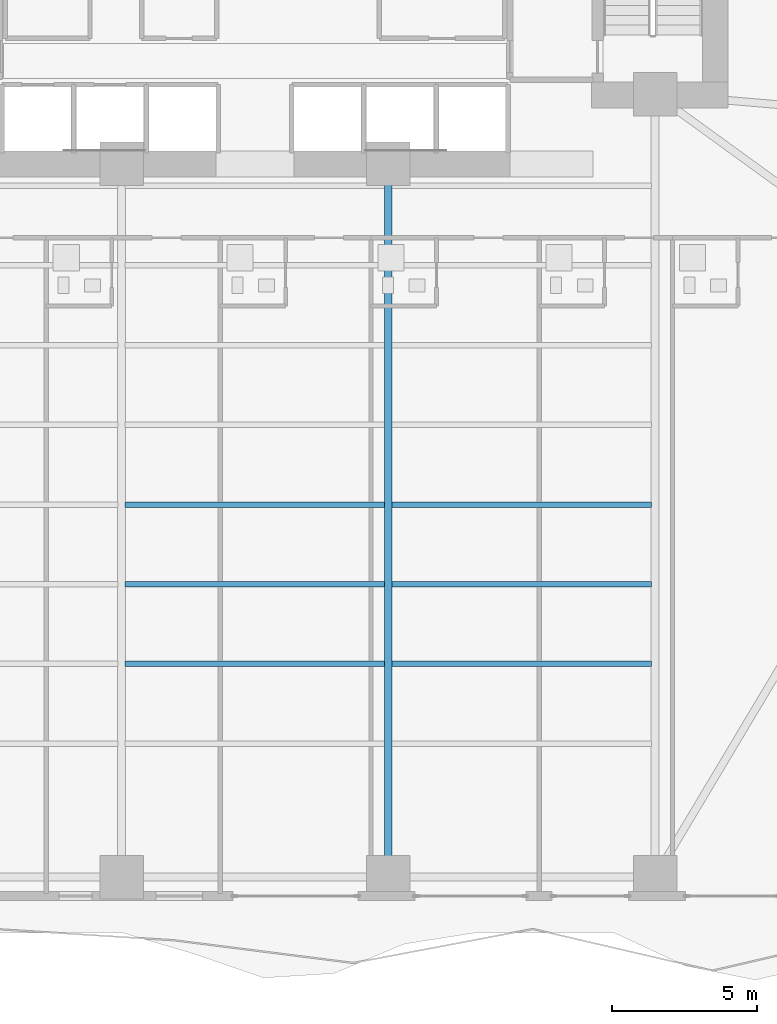
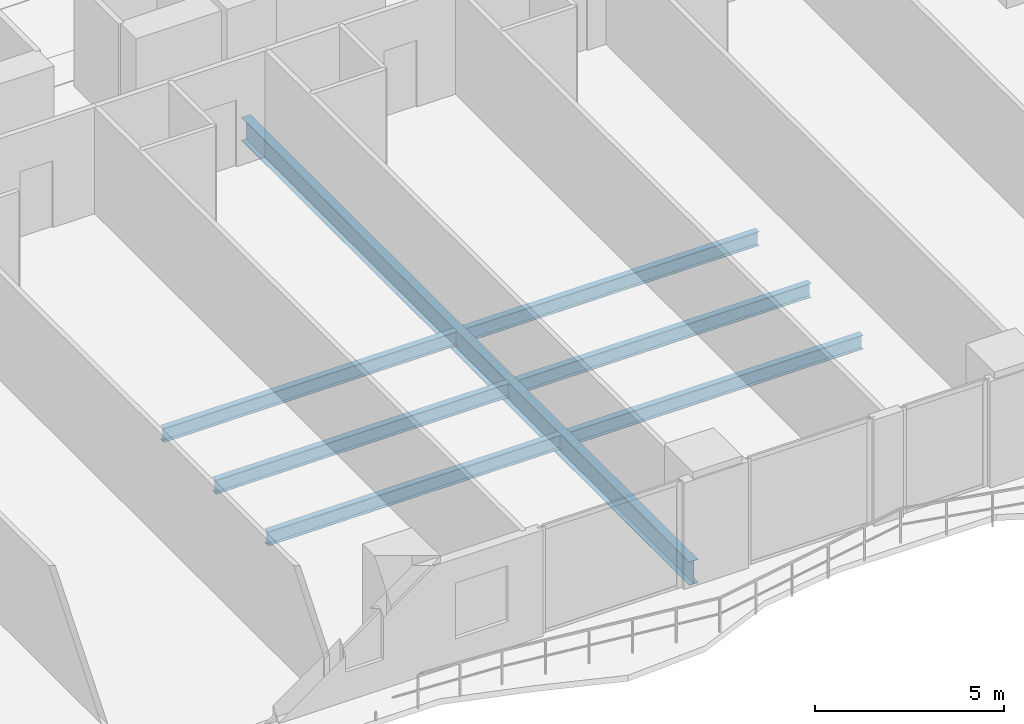
# One storey, part 7 of 30: 7 beams.
"""IFC4 building model written with IfcOpenShell, lengths in metres."""

from ifc_helpers import new_model, si_unit, direction, frame, origin, origin_2d, place, context, subcontext, project, spatial, i_section, extrude, material, material_profile, profile_set, type_object, element, save


model = new_model("IFC4")

# Units and contexts
model_context = context("Model", 3, precision=1e-05, world=origin(), true_north=direction((0.0, 1.0)))
body_context = subcontext(model_context, "Body", "Model", "MODEL_VIEW")
ifc_project = project(units=[si_unit("LENGTHUNIT", "METRE"), si_unit("AREAUNIT", "SQUARE_METRE"), si_unit("VOLUMEUNIT", "CUBIC_METRE"), si_unit("PLANEANGLEUNIT", "RADIAN"), si_unit("MASSUNIT", "GRAM", prefix="KILO")], contexts=[model_context])

# Site, building, storey
site_placement = place(None, origin())
site = spatial("IfcSite", under=ifc_project, at=site_placement, CompositionType="ELEMENT")
building_placement = place(site_placement, origin())
building = spatial("IfcBuilding", under=site, at=building_placement, Name="Zuhayl Quay Hotel", CompositionType="ELEMENT")
storey_placement = place(building_placement, frame((0.0, 0.0, 27.60009765625)))
storey = spatial("IfcBuildingStorey", under=building, at=storey_placement, Name="L05", CompositionType="ELEMENT", Elevation=27.60009765625)

# Beams
ifc_material = material(Name="Steel ASTM A992 Grade 50", Category="steel")
ifc_material_profile_1 = material_profile(ifc_material, i_section(OverallWidth=0.26708984375, OverallDepth=0.761962890625, WebThickness=0.014404296875, FlangeThickness=0.021484375, at=origin_2d()), Name="W30X116")
ifc_profile_set_1 = profile_set([ifc_material_profile_1], Name="Steel ASTM A992 Grade 50")
beam_type_1 = type_object("IfcBeamType", Name="BM_B1_W30X116", PredefinedType="BEAM", material=ifc_profile_set_1)
beam_1_placement = place(storey_placement, frame((4.60009765625, -21.949951171875, -0.60107421875), z_axis=(0.0, 1.0, 0.0), x_axis=(-1.0, 0.0, 0.0)))
element("IfcBeam", 1, at=beam_1_placement, inside=storey, type_object=beam_type_1, Name="L05 Floor Beam FG_S_L05_3", PredefinedType="BEAM", context=body_context, shape_type="SweptSolid", body=[
    extrude(i_section(OverallWidth=0.26708984375, OverallDepth=0.761962890625, WebThickness=0.014404296875, FlangeThickness=0.021484375, at=origin_2d()), origin(), (0.0, 0.0, 1.0), 23.64990234375),
])
ifc_material_profile_2 = material_profile(ifc_material, i_section(OverallWidth=0.18994140625, OverallDepth=0.45703125, WebThickness=0.009033203125, FlangeThickness=0.014404296875, at=origin_2d()), Name="W18X50")
ifc_profile_set_2 = profile_set([ifc_material_profile_2], Name="Steel ASTM A992 Grade 50")
beam_type_2 = type_object("IfcBeamType", Name="BM_J2_W18X50", PredefinedType="JOIST", material=ifc_profile_set_2)
beam_2_placement = place(storey_placement, frame((-4.474609375, -15.10009765625, -0.448486328125), z_axis=(1.0, 0.0, 0.0), x_axis=(0.0, 1.0, 0.0)))
element("IfcBeam", 2, at=beam_2_placement, inside=storey, type_object=beam_type_2, Name="L05 Floor Beam FJ_L05_4_2", PredefinedType="JOIST", context=body_context, shape_type="SweptSolid", body=[
    extrude(i_section(OverallWidth=0.18994140625, OverallDepth=0.45703125, WebThickness=0.009033203125, FlangeThickness=0.014404296875, at=origin_2d()), origin(), (0.0, 0.0, 1.0), 8.94921875),
])
beam_3_placement = place(storey_placement, frame((4.7255859375, -15.10009765625, -0.448486328125), z_axis=(1.0, 0.0, 0.0), x_axis=(0.0, 1.0, 0.0)))
element("IfcBeam", 3, at=beam_3_placement, inside=storey, type_object=beam_type_2, Name="L05 Floor Beam FJ_L05_4_3", PredefinedType="JOIST", context=body_context, shape_type="SweptSolid", body=[
    extrude(i_section(OverallWidth=0.18994140625, OverallDepth=0.45703125, WebThickness=0.009033203125, FlangeThickness=0.014404296875, at=origin_2d()), origin(), (0.0, 0.0, 1.0), 8.948974609375),
])
beam_4_placement = place(storey_placement, frame((-4.474609375, -12.35009765625, -0.448486328125), z_axis=(1.0, 0.0, 0.0), x_axis=(0.0, 1.0, 0.0)))
element("IfcBeam", 4, at=beam_4_placement, inside=storey, type_object=beam_type_2, Name="L05 Floor Beam FJ_L05_5_2", PredefinedType="JOIST", context=body_context, shape_type="SweptSolid", body=[
    extrude(i_section(OverallWidth=0.18994140625, OverallDepth=0.45703125, WebThickness=0.009033203125, FlangeThickness=0.014404296875, at=origin_2d()), origin(), (0.0, 0.0, 1.0), 8.94921875),
])
beam_5_placement = place(storey_placement, frame((4.7255859375, -12.35009765625, -0.448486328125), z_axis=(1.0, 0.0, 0.0), x_axis=(0.0, 1.0, 0.0)))
element("IfcBeam", 5, at=beam_5_placement, inside=storey, type_object=beam_type_2, Name="L05 Floor Beam FJ_L05_5_3", PredefinedType="JOIST", context=body_context, shape_type="SweptSolid", body=[
    extrude(i_section(OverallWidth=0.18994140625, OverallDepth=0.45703125, WebThickness=0.009033203125, FlangeThickness=0.014404296875, at=origin_2d()), origin(), (0.0, 0.0, 1.0), 8.948974609375),
])
beam_6_placement = place(storey_placement, frame((-4.474609375, -9.60009765625, -0.448486328125), z_axis=(1.0, 0.0, 0.0), x_axis=(0.0, 1.0, 0.0)))
element("IfcBeam", 6, at=beam_6_placement, inside=storey, type_object=beam_type_2, Name="L05 Floor Beam FJ_L05_6_2", PredefinedType="JOIST", context=body_context, shape_type="SweptSolid", body=[
    extrude(i_section(OverallWidth=0.18994140625, OverallDepth=0.45703125, WebThickness=0.009033203125, FlangeThickness=0.014404296875, at=origin_2d()), origin(), (0.0, 0.0, 1.0), 8.94921875),
])
beam_7_placement = place(storey_placement, frame((4.7255859375, -9.60009765625, -0.448486328125), z_axis=(1.0, 0.0, 0.0), x_axis=(0.0, 1.0, 0.0)))
element("IfcBeam", 7, at=beam_7_placement, inside=storey, type_object=beam_type_2, Name="L05 Floor Beam FJ_L05_6_3", PredefinedType="JOIST", context=body_context, shape_type="SweptSolid", body=[
    extrude(i_section(OverallWidth=0.18994140625, OverallDepth=0.45703125, WebThickness=0.009033203125, FlangeThickness=0.014404296875, at=origin_2d()), origin(), (0.0, 0.0, 1.0), 8.948974609375),
])

save(model, "model.ifc")
